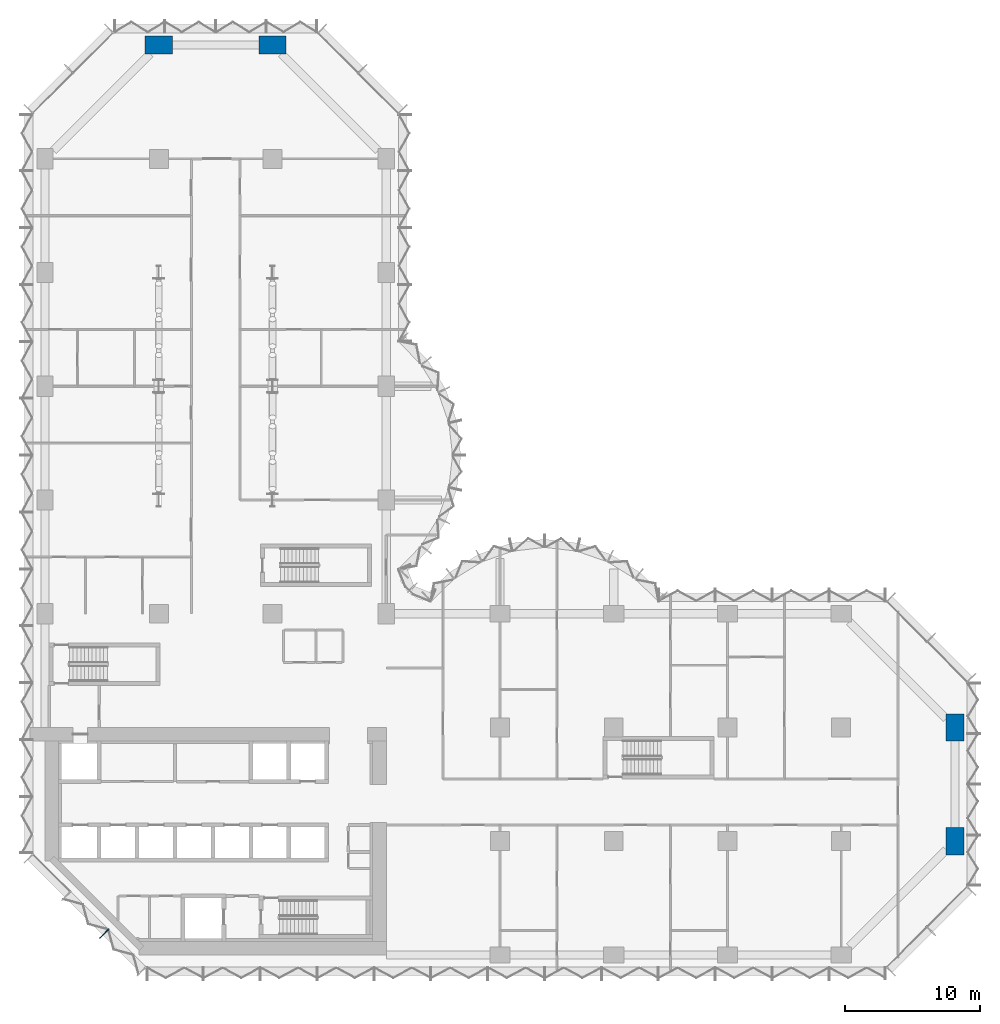
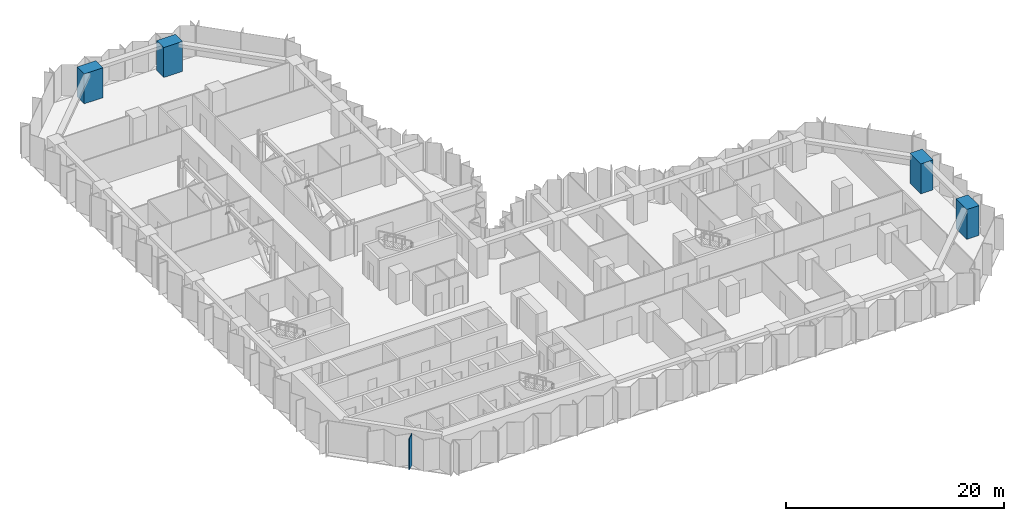
# One storey, part 2 of 18: 4 columns, 1 member, 1 element without a shape of its own.
"""IFC4 building model written with IfcOpenShell, lengths in metres."""

from ifc_helpers import new_model, si_unit, direction, frame, origin, origin_2d, place, context, subcontext, project, spatial, rectangle, extrude, material, material_profile, profile_set, type_object, element, aggregate, save


model = new_model("IFC4")

# Units and contexts
model_context = context("Model", 3, precision=1e-05, world=origin(), true_north=direction((0.0, 1.0)))
body_context = subcontext(model_context, "Body", "Model", "MODEL_VIEW")
ifc_project = project(units=[si_unit("LENGTHUNIT", "METRE"), si_unit("AREAUNIT", "SQUARE_METRE"), si_unit("VOLUMEUNIT", "CUBIC_METRE"), si_unit("PLANEANGLEUNIT", "RADIAN"), si_unit("MASSUNIT", "GRAM", prefix="KILO")], contexts=[model_context])

# Site, building, storey
site_placement = place(None, origin())
site = spatial("IfcSite", under=ifc_project, at=site_placement, CompositionType="ELEMENT")
building_placement = place(site_placement, origin())
building = spatial("IfcBuilding", under=site, at=building_placement, Name="Brevane Broadcast Tower", CompositionType="ELEMENT")
storey_placement = place(building_placement, frame((0.0, 0.0, 40.10009765625)))
storey = spatial("IfcBuildingStorey", under=building, at=storey_placement, Name="L07", CompositionType="ELEMENT", Elevation=40.10009765625)

# Columns
ifc_material_1 = material(Name="Concrete C80/95", Category="concrete")
ifc_material_profile_1 = material_profile(ifc_material_1, rectangle(XDim=1.300048828125, YDim=2.0, at=origin_2d()), Name="RC 1300x2000")
ifc_profile_set_1 = profile_set([ifc_material_profile_1], Name="Concrete C80/95")
column_type = type_object("IfcColumnType", Name="RC COLUMN WING-END 1300x2000 C80/95", PredefinedType="COLUMN", material=ifc_profile_set_1)
for number, where, z_axis, x_axis, name in (
    (1, (8.39990234375, 67.199951171875, 0.0), (0.0, 0.0, 1.0), (0.0, 1.0, 0.0), "CW7 2/I"),
    (2, (16.800048828125, 67.199951171875, 0.0), (0.0, 0.0, 1.0), (0.0, 1.0, 0.0), "CW7 3/I"),
    (3, (67.199951171875, 8.39990234375, 0.0), (0.0, 0.0, 1.0), (1.0, 0.0, 0.0), "CW7 9/B"),
    (4, (67.199951171875, 16.800048828125, 0.0), (0.0, 0.0, 1.0), (1.0, 0.0, 0.0), "CW7 9/C"),
):
    element("IfcColumn", number, at=place(storey_placement, frame(where, z_axis=z_axis, x_axis=x_axis)), inside=storey, type_object=column_type, Name=name, PredefinedType="COLUMN", context=body_context, shape_type="SweptSolid", body=[
        extrude(rectangle(XDim=1.300048828125, YDim=2.0, at=origin_2d()), origin(), (0.0, 0.0, 1.0), 3.349853515625),
    ])

# Curtain wall, member
ifc_material_2 = material(Name="Aluminium 6063-T6 bronze anodised", Category="aluminium")
curtain_wall_type = type_object("IfcCurtainWallType", Name="CW-1 curtain wall", PredefinedType="NOTDEFINED", material=ifc_material_2)
curtain_wall_placement = place(storey_placement, origin())
curtain_wall = element("IfcCurtainWall", 5, at=curtain_wall_placement, inside=storey, type_object=curtain_wall_type, Name="CW-1 typical tilted unit L07 south-west chamfer", PredefinedType="NOTDEFINED")
ifc_material_profile_2 = material_profile(ifc_material_2, rectangle(XDim=0.949951171875, YDim=0.070068359375, at=origin_2d()), Name="RECT 70x950")
ifc_profile_set_2 = profile_set([ifc_material_profile_2], Name="Aluminium 6063-T6 bronze anodised")
member_type = type_object("IfcMemberType", Name="CW-1 mullion 70x950", PredefinedType="MULLION", material=ifc_profile_set_2)
member_placement = place(storey_placement, frame((4.364013671875, 1.564208984375, -0.150146484375), z_axis=(0.0, 0.0, 1.0), x_axis=(0.707106781187, 0.707106781187, 0.0)))
member = element("IfcMember", 6, at=member_placement, type_object=member_type, Name="CW-1 mullion", PredefinedType="MULLION", context=body_context, shape_type="SweptSolid", body=[
    extrude(rectangle(XDim=0.949951171875, YDim=0.070068359375, at=origin_2d()), origin(), (0.0, 0.0, 1.0), 3.5),
])
aggregate(curtain_wall, [member])

save(model, "model.ifc")
